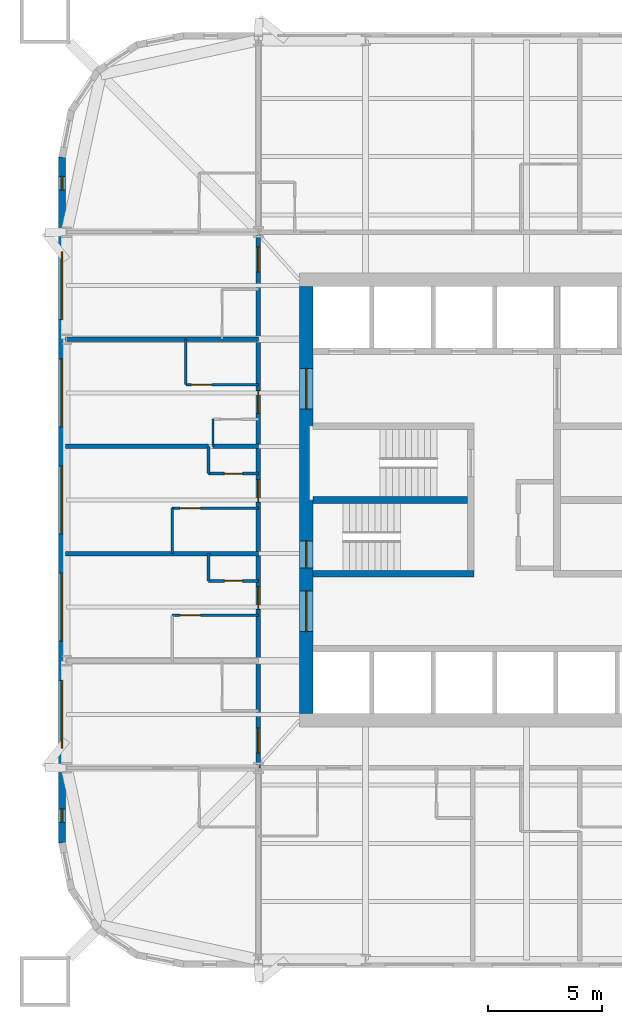
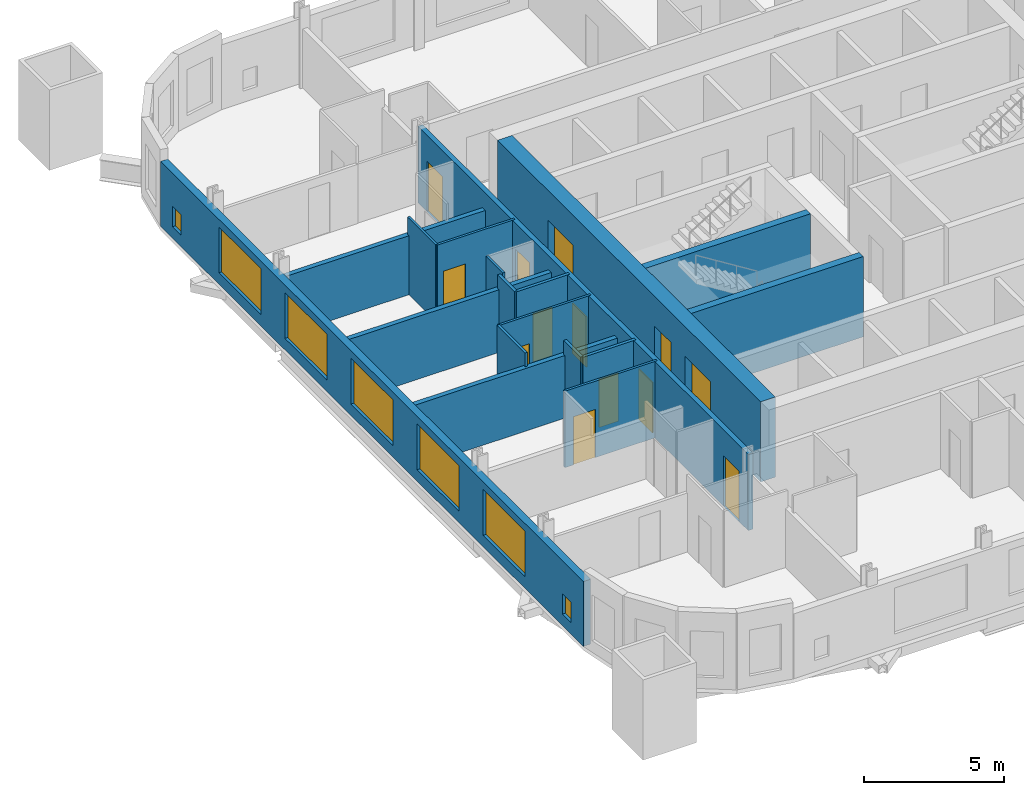
# One storey, part 4 of 9: 19 walls, 13 doors, 7 windows, 20 openings.
"""IFC4 building model written with IfcOpenShell, lengths in metres."""

from ifc_helpers import new_model, si_unit, direction, frame, frame_2d, origin, place, context, subcontext, project, spatial, rectangle, extrude, material, layer, layer_set, type_object, element, fill, save


model = new_model("IFC4")

# Units and contexts
model_context = context("Model", 3, precision=1e-05, world=origin(), true_north=direction((0.0, 1.0)))
body_context = subcontext(model_context, "Body", "Model", "MODEL_VIEW")
ifc_project = project(units=[si_unit("LENGTHUNIT", "METRE"), si_unit("AREAUNIT", "SQUARE_METRE"), si_unit("VOLUMEUNIT", "CUBIC_METRE"), si_unit("PLANEANGLEUNIT", "RADIAN"), si_unit("MASSUNIT", "GRAM", prefix="KILO")], contexts=[model_context])

# Site, building, storey
site_placement = place(None, origin())
site = spatial("IfcSite", under=ifc_project, at=site_placement, CompositionType="ELEMENT")
building_placement = place(site_placement, origin())
building = spatial("IfcBuilding", under=site, at=building_placement, Name="Turquesa Mirador Hotel Tower", CompositionType="ELEMENT")
storey_placement = place(building_placement, frame((0.0, 0.0, 142.39990234375)))
storey = spatial("IfcBuildingStorey", under=building, at=storey_placement, Name="L38", CompositionType="ELEMENT", Elevation=142.39990234375)

# Wall, opening, door
ifc_material_1 = material(Name="Gypsum board on steel studs", Category="steel")
ifc_layer_1 = layer(ifc_material_1, 0.10009765625)
ifc_layer_set_1 = layer_set([ifc_layer_1], Name="BATHROOM WALL 100")
wall_type_1 = type_object("IfcWallType", Name="BATHROOM WALL 100", PredefinedType="PARTITIONING", material=ifc_layer_set_1)
wall_1_placement = place(storey_placement, frame((39.39990234375, 44.639892578125, 0.0), z_axis=(0.0, 0.0, 1.0), x_axis=(1.0, 0.0, 0.0)))
wall_1 = element("IfcWall", 1, at=wall_1_placement, inside=storey, type_object=wall_type_1, Name="Partition L38 002", PredefinedType="PARTITIONING", context=body_context, shape_type="SweptSolid", body=[
    extrude(rectangle(XDim=3.800048828125, YDim=0.10009765625, at=frame_2d((1.89990234375, 0.0))), origin(), (0.0, 0.0, 1.0), 3.330078125),
])
opening_1_placement = place(wall_1_placement, frame((0.35009765625, 0.0, 0.0)))
opening_1 = element("IfcOpeningElement", 2, at=opening_1_placement, cuts=wall_1, Name="Opening D02", PredefinedType="OPENING", context=body_context, shape_type="SweptSolid", body=[
    extrude(rectangle(XDim=0.89990234375, YDim=2.10009765625, at=frame_2d((0.449951171875, 1.050048828125))), frame((0.0, 0.06005859375, 0.0), z_axis=(0.0, -1.0, 0.0), x_axis=(1.0, 0.0, 0.0)), (0.0, 0.0, 1.0), 0.1201171875),
])
ifc_material_2 = material(Name="Timber veneered door", Category="wood")
door_type_1 = type_object("IfcDoorType", Name="DOOR 900X2100 EN-SUITE", OperationType="SINGLE_SWING_RIGHT", PredefinedType="DOOR", material=ifc_material_2)
door_1_placement = place(opening_1_placement, origin())
door_1 = element("IfcDoor", 3, at=door_1_placement, inside=storey, type_object=door_type_1, Name="Door 3812B", OperationType="SINGLE_SWING_RIGHT", OverallHeight=2.10009765625, OverallWidth=0.89990234375, PredefinedType="DOOR", context=body_context, shape_type="SweptSolid", body=[
    extrude(rectangle(XDim=0.89990234375, YDim=2.10009765625, at=frame_2d((0.449951171875, 1.050048828125))), frame((0.0, 0.02490234375, 0.0), z_axis=(0.0, -1.0, 0.0), x_axis=(1.0, 0.0, 0.0)), (0.0, 0.0, 1.0), 0.050048828125),
])
fill(opening_1, door_1)

wall_2_placement = place(storey_placement, frame((39.39990234375, 39.919921875, 0.0), z_axis=(0.0, 0.0, 1.0), x_axis=(1.0, 0.0, 0.0)))
wall_2 = element("IfcWall", 4, at=wall_2_placement, inside=storey, type_object=wall_type_1, Name="Partition L38 020", PredefinedType="PARTITIONING", context=body_context, shape_type="SweptSolid", body=[
    extrude(rectangle(XDim=3.800048828125, YDim=0.10009765625, at=frame_2d((1.89990234375, 0.0))), origin(), (0.0, 0.0, 1.0), 3.330078125),
])
opening_2_placement = place(wall_2_placement, frame((0.35009765625, 0.0, 0.0)))
opening_2 = element("IfcOpeningElement", 5, at=opening_2_placement, cuts=wall_2, Name="Opening D02", PredefinedType="OPENING", context=body_context, shape_type="SweptSolid", body=[
    extrude(rectangle(XDim=0.89990234375, YDim=2.10009765625, at=frame_2d((0.449951171875, 1.050048828125))), frame((0.0, 0.06005859375, 0.0), z_axis=(0.0, -1.0, 0.0), x_axis=(1.0, 0.0, 0.0)), (0.0, 0.0, 1.0), 0.1201171875),
])
door_2_placement = place(opening_2_placement, origin())
door_2 = element("IfcDoor", 6, at=door_2_placement, inside=storey, type_object=door_type_1, Name="Door 3811B", OperationType="SINGLE_SWING_RIGHT", OverallHeight=2.10009765625, OverallWidth=0.89990234375, PredefinedType="DOOR", context=body_context, shape_type="SweptSolid", body=[
    extrude(rectangle(XDim=0.89990234375, YDim=2.10009765625, at=frame_2d((0.449951171875, 1.050048828125))), frame((0.0, 0.02490234375, 0.0), z_axis=(0.0, -1.0, 0.0), x_axis=(1.0, 0.0, 0.0)), (0.0, 0.0, 1.0), 0.050048828125),
])
fill(opening_2, door_2)

wall_3_placement = place(storey_placement, frame((40.0, 50.080078125, 0.0), z_axis=(0.0, 0.0, 1.0), x_axis=(1.0, 0.0, 0.0)))
wall_3 = element("IfcWall", 7, at=wall_3_placement, inside=storey, type_object=wall_type_1, Name="Partition L38 042", PredefinedType="PARTITIONING", context=body_context, shape_type="SweptSolid", body=[
    extrude(rectangle(XDim=3.199951171875, YDim=0.10009765625, at=frame_2d((1.60009765625, 0.0))), origin(), (0.0, 0.0, 1.0), 3.330078125),
])
opening_3_placement = place(wall_3_placement, frame((0.25, 0.0, 0.0)))
opening_3 = element("IfcOpeningElement", 8, at=opening_3_placement, cuts=wall_3, Name="Opening D02", PredefinedType="OPENING", context=body_context, shape_type="SweptSolid", body=[
    extrude(rectangle(XDim=0.89990234375, YDim=2.10009765625, at=frame_2d((0.449951171875, 1.050048828125))), frame((0.0, 0.06005859375, 0.0), z_axis=(0.0, -1.0, 0.0), x_axis=(1.0, 0.0, 0.0)), (0.0, 0.0, 1.0), 0.1201171875),
])
door_3_placement = place(opening_3_placement, origin())
door_3 = element("IfcDoor", 9, at=door_3_placement, inside=storey, type_object=door_type_1, Name="Door 3813B", OperationType="SINGLE_SWING_RIGHT", OverallHeight=2.10009765625, OverallWidth=0.89990234375, PredefinedType="DOOR", context=body_context, shape_type="SweptSolid", body=[
    extrude(rectangle(XDim=0.89990234375, YDim=2.10009765625, at=frame_2d((0.449951171875, 1.050048828125))), frame((0.0, 0.02490234375, 0.0), z_axis=(0.0, -1.0, 0.0), x_axis=(1.0, 0.0, 0.0)), (0.0, 0.0, 1.0), 0.050048828125),
])
fill(opening_3, door_3)

# Walls
wall_4_placement = place(storey_placement, frame((41.199951171875, 47.360107421875, 0.0), z_axis=(0.0, 0.0, 1.0), x_axis=(0.0, 1.0, 0.0)))
element("IfcWall", 10, at=wall_4_placement, inside=storey, type_object=wall_type_1, Name="Partition L38 056", PredefinedType="PARTITIONING", context=body_context, shape_type="SweptSolid", body=[
    extrude(rectangle(XDim=1.199951171875, YDim=0.10009765625, at=frame_2d((0.60009765625, 0.0))), origin(), (0.0, 0.0, 1.0), 3.330078125),
])
for number, where, z_axis, x_axis, name in (
    (11, (40.0, 50.080078125, 0.0), (0.0, 0.0, 1.0), (0.0, 1.0, 0.0), "Partition L38 061"),
    (12, (39.39990234375, 42.639892578125, 0.0), (0.0, 0.0, 1.0), (0.0, 1.0, 0.0), "Partition L38 063"),
):
    element("IfcWall", number, at=place(storey_placement, frame(where, z_axis=z_axis, x_axis=x_axis)), inside=storey, type_object=wall_type_1, Name=name, PredefinedType="PARTITIONING", context=body_context, shape_type="SweptSolid", body=[
        extrude(rectangle(XDim=2.0, YDim=0.10009765625, at=frame_2d((1.0, 0.0))), origin(), (0.0, 0.0, 1.0), 3.330078125),
    ])
ifc_material_3 = material(Name="Concrete C50/60", Category="concrete")
ifc_layer_2 = layer(ifc_material_3, 0.300048828125)
ifc_layer_set_2 = layer_set([ifc_layer_2], Name="CORE INNER WALL 300")
wall_type_2 = type_object("IfcWallType", Name="CORE INNER WALL 300", PredefinedType="SHEAR", material=ifc_layer_set_2)
wall_5_placement = place(storey_placement, frame((45.60009765625, 41.75, 0.0), z_axis=(0.0, 0.0, 1.0), x_axis=(1.0, 0.0, 0.0)))
element("IfcWall", 13, at=wall_5_placement, inside=storey, type_object=wall_type_2, Name="Core wall MS-W", PredefinedType="SHEAR", context=body_context, shape_type="SweptSolid", body=[
    extrude(rectangle(XDim=7.099853515625, YDim=0.300048828125, at=frame_2d((3.5498046875, 0.0))), origin(), (0.0, 0.0, 1.0), 3.5),
])
wall_6_placement = place(storey_placement, frame((45.60009765625, 45.0, 0.0), z_axis=(0.0, 0.0, 1.0), x_axis=(1.0, 0.0, 0.0)))
element("IfcWall", 14, at=wall_6_placement, inside=storey, type_object=wall_type_2, Name="Core wall M0-W", PredefinedType="SHEAR", context=body_context, shape_type="SweptSolid", body=[
    extrude(rectangle(XDim=6.7998046875, YDim=0.300048828125, at=frame_2d((3.39990234375, 0.0))), origin(), (0.0, 0.0, 1.0), 3.5),
])

# Wall, openings, doors
ifc_material_4 = material(Name="Concrete C50/60", Category="concrete")
ifc_layer_3 = layer(ifc_material_4, 0.60009765625)
ifc_layer_set_3 = layer_set([ifc_layer_3], Name="CORE WALL 600")
wall_type_3 = type_object("IfcWallType", Name="CORE WALL 600", PredefinedType="SHEAR", material=ifc_layer_set_3)
wall_7_placement = place(storey_placement, frame((45.300048828125, 35.60009765625, 0.0), z_axis=(0.0, 0.0, 1.0), x_axis=(0.0, 1.0, 0.0)))
wall_7 = element("IfcWall", 15, at=wall_7_placement, inside=storey, type_object=wall_type_3, Name="Core wall W", PredefinedType="SHEAR", context=body_context, shape_type="SweptSolid", body=[
    extrude(rectangle(XDim=18.7998046875, YDim=0.60009765625, at=frame_2d((9.39990234375, 0.0))), origin(), (0.0, 0.0, 1.0), 3.5),
])
opening_4_placement = place(wall_7_placement, frame((13.39990234375, 0.0, 0.0)))
opening_4 = element("IfcOpeningElement", 16, at=opening_4_placement, cuts=wall_7, Name="Opening D04", PredefinedType="OPENING", context=body_context, shape_type="SweptSolid", body=[
    extrude(rectangle(XDim=1.800048828125, YDim=2.199951171875, at=frame_2d((0.89990234375, 1.10009765625))), frame((0.0, 0.31005859375, 0.0), z_axis=(0.0, -1.0, 0.0), x_axis=(1.0, 0.0, 0.0)), (0.0, 0.0, 1.0), 0.6201171875),
])
opening_5_placement = place(wall_7_placement, frame((3.60009765625, 0.0, 0.0)))
opening_5 = element("IfcOpeningElement", 17, at=opening_5_placement, cuts=wall_7, Name="Opening D04", PredefinedType="OPENING", context=body_context, shape_type="SweptSolid", body=[
    extrude(rectangle(XDim=1.800048828125, YDim=2.199951171875, at=frame_2d((0.89990234375, 1.10009765625))), frame((0.0, 0.31005859375, 0.0), z_axis=(0.0, -1.0, 0.0), x_axis=(1.0, 0.0, 0.0)), (0.0, 0.0, 1.0), 0.6201171875),
])
opening_6_placement = place(wall_7_placement, frame((6.39990234375, 0.0, 0.0)))
opening_6 = element("IfcOpeningElement", 18, at=opening_6_placement, cuts=wall_7, Name="Opening D03", PredefinedType="OPENING", context=body_context, shape_type="SweptSolid", body=[
    extrude(rectangle(XDim=1.199951171875, YDim=2.199951171875, at=frame_2d((0.60009765625, 1.10009765625))), frame((0.0, 0.31005859375, 0.0), z_axis=(0.0, -1.0, 0.0), x_axis=(1.0, 0.0, 0.0)), (0.0, 0.0, 1.0), 0.6201171875),
])
ifc_material_5 = material(Name="Steel fire door", Category="steel")
door_type_2 = type_object("IfcDoorType", Name="DOOR 1200X2200 STAIR", OperationType="SINGLE_SWING_LEFT", PredefinedType="DOOR", material=ifc_material_5)
door_4_placement = place(opening_6_placement, origin())
door_4 = element("IfcDoor", 19, at=door_4_placement, inside=storey, type_object=door_type_2, Name="Stair ST2 door", OperationType="SINGLE_SWING_LEFT", OverallHeight=2.199951171875, OverallWidth=1.199951171875, PredefinedType="DOOR", context=body_context, shape_type="SweptSolid", body=[
    extrude(rectangle(XDim=1.199951171875, YDim=2.199951171875, at=frame_2d((0.60009765625, 1.10009765625))), frame((0.0, 0.02490234375, 0.0), z_axis=(0.0, -1.0, 0.0), x_axis=(1.0, 0.0, 0.0)), (0.0, 0.0, 1.0), 0.050048828125),
])
fill(opening_6, door_4)
ifc_material_6 = material(Name="Steel fire door pair", Category="steel")
door_type_3 = type_object("IfcDoorType", Name="DOOR 1800X2200 PAIR", OperationType="DOUBLE_DOOR_SINGLE_SWING", PredefinedType="DOOR", material=ifc_material_6)
door_5_placement = place(opening_4_placement, origin())
door_5 = element("IfcDoor", 20, at=door_5_placement, inside=storey, type_object=door_type_3, Name="North lift lobby door", OperationType="DOUBLE_DOOR_SINGLE_SWING", OverallHeight=2.199951171875, OverallWidth=1.800048828125, PredefinedType="DOOR", context=body_context, shape_type="SweptSolid", body=[
    extrude(rectangle(XDim=1.800048828125, YDim=2.199951171875, at=frame_2d((0.89990234375, 1.10009765625))), frame((0.0, 0.02490234375, 0.0), z_axis=(0.0, -1.0, 0.0), x_axis=(1.0, 0.0, 0.0)), (0.0, 0.0, 1.0), 0.050048828125),
])
fill(opening_4, door_5)
door_6_placement = place(opening_5_placement, origin())
door_6 = element("IfcDoor", 21, at=door_6_placement, inside=storey, type_object=door_type_3, Name="South lift lobby door", OperationType="DOUBLE_DOOR_SINGLE_SWING", OverallHeight=2.199951171875, OverallWidth=1.800048828125, PredefinedType="DOOR", context=body_context, shape_type="SweptSolid", body=[
    extrude(rectangle(XDim=1.800048828125, YDim=2.199951171875, at=frame_2d((0.89990234375, 1.10009765625))), frame((0.0, 0.02490234375, 0.0), z_axis=(0.0, -1.0, 0.0), x_axis=(1.0, 0.0, 0.0)), (0.0, 0.0, 1.0), 0.050048828125),
])
fill(opening_5, door_6)

ifc_material_7 = material(Name="Fire-rated gypsum board on steel studs", Category="steel")
ifc_layer_4 = layer(ifc_material_7, 0.199951171875)
ifc_layer_set_4 = layer_set([ifc_layer_4], Name="CORRIDOR WALL 200")
wall_type_4 = type_object("IfcWallType", Name="CORRIDOR WALL 200", PredefinedType="PARTITIONING", material=ifc_layer_set_4)
wall_8_placement = place(storey_placement, frame((43.199951171875, 33.199951171875, 0.0), z_axis=(0.0, 0.0, 1.0), x_axis=(0.0, 1.0, 0.0)))
wall_8 = element("IfcWall", 22, at=wall_8_placement, inside=storey, type_object=wall_type_4, Name="Partition L38 051", PredefinedType="PARTITIONING", context=body_context, shape_type="SweptSolid", body=[
    extrude(rectangle(XDim=23.60009765625, YDim=0.199951171875, at=frame_2d((11.800048828125, 0.0))), origin(), (0.0, 0.0, 1.0), 3.330078125),
])
opening_7_placement = place(wall_8_placement, frame((6.97998046875, 0.0, 0.0)))
opening_7 = element("IfcOpeningElement", 23, at=opening_7_placement, cuts=wall_8, Name="Opening D01", PredefinedType="OPENING", context=body_context, shape_type="SweptSolid", body=[
    extrude(rectangle(XDim=1.0, YDim=2.199951171875, at=frame_2d((0.5, 1.10009765625))), frame((0.0, 0.10986328125, 0.0), z_axis=(0.0, -1.0, 0.0), x_axis=(1.0, 0.0, 0.0)), (0.0, 0.0, 1.0), 0.219970703125),
])
opening_8_placement = place(wall_8_placement, frame((11.699951171875, 0.0, 0.0)))
opening_8 = element("IfcOpeningElement", 24, at=opening_8_placement, cuts=wall_8, Name="Opening D01", PredefinedType="OPENING", context=body_context, shape_type="SweptSolid", body=[
    extrude(rectangle(XDim=1.0, YDim=2.199951171875, at=frame_2d((0.5, 1.10009765625))), frame((0.0, 0.10986328125, 0.0), z_axis=(0.0, -1.0, 0.0), x_axis=(1.0, 0.0, 0.0)), (0.0, 0.0, 1.0), 0.219970703125),
])
opening_9_placement = place(wall_8_placement, frame((15.6201171875, 0.0, 0.0)))
opening_9 = element("IfcOpeningElement", 25, at=opening_9_placement, cuts=wall_8, Name="Opening D01", PredefinedType="OPENING", context=body_context, shape_type="SweptSolid", body=[
    extrude(rectangle(XDim=1.0, YDim=2.199951171875, at=frame_2d((0.5, 1.10009765625))), frame((0.0, 0.10986328125, 0.0), z_axis=(0.0, -1.0, 0.0), x_axis=(1.0, 0.0, 0.0)), (0.0, 0.0, 1.0), 0.219970703125),
])
opening_10_placement = place(wall_8_placement, frame((21.85009765625, 0.0, 0.0)))
opening_10 = element("IfcOpeningElement", 26, at=opening_10_placement, cuts=wall_8, Name="Opening D15", PredefinedType="OPENING", context=body_context, shape_type="SweptSolid", body=[
    extrude(rectangle(XDim=1.10009765625, YDim=2.199951171875, at=frame_2d((0.550048828125, 1.10009765625))), frame((0.0, 0.10986328125, 0.0), z_axis=(0.0, -1.0, 0.0), x_axis=(1.0, 0.0, 0.0)), (0.0, 0.0, 1.0), 0.219970703125),
])
opening_11_placement = place(wall_8_placement, frame((0.64990234375, 0.0, 0.0)))
opening_11 = element("IfcOpeningElement", 27, at=opening_11_placement, cuts=wall_8, Name="Opening D15", PredefinedType="OPENING", context=body_context, shape_type="SweptSolid", body=[
    extrude(rectangle(XDim=1.10009765625, YDim=2.199951171875, at=frame_2d((0.550048828125, 1.10009765625))), frame((0.0, 0.10986328125, 0.0), z_axis=(0.0, -1.0, 0.0), x_axis=(1.0, 0.0, 0.0)), (0.0, 0.0, 1.0), 0.219970703125),
])
ifc_material_8 = material(Name="Timber veneered fire door", Category="wood")
door_type_4 = type_object("IfcDoorType", Name="DOOR 1000X2200 GUEST ENTRY", OperationType="SINGLE_SWING_LEFT", PredefinedType="DOOR", material=ifc_material_8)
door_7_placement = place(opening_7_placement, origin())
door_7 = element("IfcDoor", 28, at=door_7_placement, inside=storey, type_object=door_type_4, Name="Door 3811", OperationType="SINGLE_SWING_LEFT", OverallHeight=2.199951171875, OverallWidth=1.0, PredefinedType="DOOR", context=body_context, shape_type="SweptSolid", body=[
    extrude(rectangle(XDim=1.0, YDim=2.199951171875, at=frame_2d((0.5, 1.10009765625))), frame((0.0, 0.02490234375, 0.0), z_axis=(0.0, -1.0, 0.0), x_axis=(1.0, 0.0, 0.0)), (0.0, 0.0, 1.0), 0.050048828125),
])
fill(opening_7, door_7)
door_8_placement = place(opening_8_placement, origin())
door_8 = element("IfcDoor", 29, at=door_8_placement, inside=storey, type_object=door_type_4, Name="Door 3812", OperationType="SINGLE_SWING_LEFT", OverallHeight=2.199951171875, OverallWidth=1.0, PredefinedType="DOOR", context=body_context, shape_type="SweptSolid", body=[
    extrude(rectangle(XDim=1.0, YDim=2.199951171875, at=frame_2d((0.5, 1.10009765625))), frame((0.0, 0.02490234375, 0.0), z_axis=(0.0, -1.0, 0.0), x_axis=(1.0, 0.0, 0.0)), (0.0, 0.0, 1.0), 0.050048828125),
])
fill(opening_8, door_8)
door_9_placement = place(opening_9_placement, origin())
door_9 = element("IfcDoor", 30, at=door_9_placement, inside=storey, type_object=door_type_4, Name="Door 3813", OperationType="SINGLE_SWING_LEFT", OverallHeight=2.199951171875, OverallWidth=1.0, PredefinedType="DOOR", context=body_context, shape_type="SweptSolid", body=[
    extrude(rectangle(XDim=1.0, YDim=2.199951171875, at=frame_2d((0.5, 1.10009765625))), frame((0.0, 0.02490234375, 0.0), z_axis=(0.0, -1.0, 0.0), x_axis=(1.0, 0.0, 0.0)), (0.0, 0.0, 1.0), 0.050048828125),
])
fill(opening_9, door_9)
ifc_material_9 = material(Name="Timber veneered fire door", Category="wood")
door_type_5 = type_object("IfcDoorType", Name="DOOR 1100X2200 SUITE ENTRY", OperationType="SINGLE_SWING_LEFT", PredefinedType="DOOR", material=ifc_material_9)
door_10_placement = place(opening_10_placement, origin())
door_10 = element("IfcDoor", 31, at=door_10_placement, inside=storey, type_object=door_type_5, Name="Door 3815", OperationType="SINGLE_SWING_LEFT", OverallHeight=2.199951171875, OverallWidth=1.10009765625, PredefinedType="DOOR", context=body_context, shape_type="SweptSolid", body=[
    extrude(rectangle(XDim=1.10009765625, YDim=2.199951171875, at=frame_2d((0.550048828125, 1.10009765625))), frame((0.0, 0.02490234375, 0.0), z_axis=(0.0, -1.0, 0.0), x_axis=(1.0, 0.0, 0.0)), (0.0, 0.0, 1.0), 0.050048828125),
])
fill(opening_10, door_10)
door_11_placement = place(opening_11_placement, origin())
door_11 = element("IfcDoor", 32, at=door_11_placement, inside=storey, type_object=door_type_5, Name="Door 3816", OperationType="SINGLE_SWING_LEFT", OverallHeight=2.199951171875, OverallWidth=1.10009765625, PredefinedType="DOOR", context=body_context, shape_type="SweptSolid", body=[
    extrude(rectangle(XDim=1.10009765625, YDim=2.199951171875, at=frame_2d((0.550048828125, 1.10009765625))), frame((0.0, 0.02490234375, 0.0), z_axis=(0.0, -1.0, 0.0), x_axis=(1.0, 0.0, 0.0)), (0.0, 0.0, 1.0), 0.050048828125),
])
fill(opening_11, door_11)

# Wall, openings, windows
ifc_material_10 = material(Name="Limestone cladding on concrete block", Category="masonry")
ifc_layer_5 = layer(ifc_material_10, 0.300048828125)
ifc_layer_set_5 = layer_set([ifc_layer_5], Name="FACADE WALL 300 STONE SCREEN")
wall_type_5 = type_object("IfcWallType", Name="FACADE WALL 300 STONE SCREEN", PredefinedType="SOLIDWALL", material=ifc_layer_set_5)
wall_9_placement = place(storey_placement, frame((34.550048828125, 60.10009765625, 0.0), z_axis=(0.0, 0.0, 1.0), x_axis=(0.0, -1.0, 0.0)))
wall_9 = element("IfcWall", 33, at=wall_9_placement, inside=storey, type_object=wall_type_5, Name="Facade wall L38 14", PredefinedType="SOLIDWALL", context=body_context, shape_type="SweptSolid", body=[
    extrude(rectangle(XDim=30.2001953125, YDim=0.300048828125, at=frame_2d((15.10009765625, 0.0))), origin(), (0.0, 0.0, 1.0), 2.830078125),
])
opening_12_placement = place(wall_9_placement, frame((0.85009765625, 0.0, 0.5)))
opening_12 = element("IfcOpeningElement", 34, at=opening_12_placement, cuts=wall_9, Name="Opening WN25", PredefinedType="OPENING", context=body_context, shape_type="SweptSolid", body=[
    extrude(rectangle(XDim=0.60009765625, YDim=0.89990234375, at=frame_2d((0.300048828125, 0.449951171875))), frame((0.0, 0.159912109375, 0.0), z_axis=(0.0, -1.0, 0.0), x_axis=(1.0, 0.0, 0.0)), (0.0, 0.0, 1.0), 0.320068359375),
])
opening_13_placement = place(wall_9_placement, frame((4.159912109375, 0.0, 0.5)))
opening_13 = element("IfcOpeningElement", 35, at=opening_13_placement, cuts=wall_9, Name="Opening WN1", PredefinedType="OPENING", context=body_context, shape_type="SweptSolid", body=[
    extrude(rectangle(XDim=3.0, YDim=2.0, at=frame_2d((1.5, 1.0))), frame((0.0, 0.159912109375, 0.0), z_axis=(0.0, -1.0, 0.0), x_axis=(1.0, 0.0, 0.0)), (0.0, 0.0, 1.0), 0.320068359375),
])
opening_14_placement = place(wall_9_placement, frame((8.8798828125, 0.0, 0.5)))
opening_14 = element("IfcOpeningElement", 36, at=opening_14_placement, cuts=wall_9, Name="Opening WN1", PredefinedType="OPENING", context=body_context, shape_type="SweptSolid", body=[
    extrude(rectangle(XDim=3.0, YDim=2.0, at=frame_2d((1.5, 1.0))), frame((0.0, 0.159912109375, 0.0), z_axis=(0.0, -1.0, 0.0), x_axis=(1.0, 0.0, 0.0)), (0.0, 0.0, 1.0), 0.320068359375),
])
opening_15_placement = place(wall_9_placement, frame((13.60009765625, 0.0, 0.5)))
opening_15 = element("IfcOpeningElement", 37, at=opening_15_placement, cuts=wall_9, Name="Opening WN1", PredefinedType="OPENING", context=body_context, shape_type="SweptSolid", body=[
    extrude(rectangle(XDim=3.0, YDim=2.0, at=frame_2d((1.5, 1.0))), frame((0.0, 0.159912109375, 0.0), z_axis=(0.0, -1.0, 0.0), x_axis=(1.0, 0.0, 0.0)), (0.0, 0.0, 1.0), 0.320068359375),
])
opening_16_placement = place(wall_9_placement, frame((18.320068359375, 0.0, 0.5)))
opening_16 = element("IfcOpeningElement", 38, at=opening_16_placement, cuts=wall_9, Name="Opening WN1", PredefinedType="OPENING", context=body_context, shape_type="SweptSolid", body=[
    extrude(rectangle(XDim=3.0, YDim=2.0, at=frame_2d((1.5, 1.0))), frame((0.0, 0.159912109375, 0.0), z_axis=(0.0, -1.0, 0.0), x_axis=(1.0, 0.0, 0.0)), (0.0, 0.0, 1.0), 0.320068359375),
])
opening_17_placement = place(wall_9_placement, frame((23.0400390625, 0.0, 0.5)))
opening_17 = element("IfcOpeningElement", 39, at=opening_17_placement, cuts=wall_9, Name="Opening WN1", PredefinedType="OPENING", context=body_context, shape_type="SweptSolid", body=[
    extrude(rectangle(XDim=3.0, YDim=2.0, at=frame_2d((1.5, 1.0))), frame((0.0, 0.159912109375, 0.0), z_axis=(0.0, -1.0, 0.0), x_axis=(1.0, 0.0, 0.0)), (0.0, 0.0, 1.0), 0.320068359375),
])
opening_18_placement = place(wall_9_placement, frame((28.699951171875, 0.0, 0.5)))
opening_18 = element("IfcOpeningElement", 40, at=opening_18_placement, cuts=wall_9, Name="Opening WN25", PredefinedType="OPENING", context=body_context, shape_type="SweptSolid", body=[
    extrude(rectangle(XDim=0.60009765625, YDim=0.89990234375, at=frame_2d((0.300048828125, 0.449951171875))), frame((0.0, 0.159912109375, 0.0), z_axis=(0.0, -1.0, 0.0), x_axis=(1.0, 0.0, 0.0)), (0.0, 0.0, 1.0), 0.320068359375),
])
ifc_material_11 = material(Name="Ceramic-fritted laminated glass", Category="glass")
window_type_1 = type_object("IfcWindowType", Name="FRITTED WINDOW 3000X2000", PartitioningType="DOUBLE_PANEL_HORIZONTAL", PredefinedType="WINDOW", material=ifc_material_11)
window_1_placement = place(opening_13_placement, origin())
window_1 = element("IfcWindow", 41, at=window_1_placement, inside=storey, type_object=window_type_1, Name="Window L38", OverallHeight=2.0, OverallWidth=3.0, PartitioningType="SINGLE_PANEL", PredefinedType="WINDOW", context=body_context, shape_type="SweptSolid", body=[
    extrude(rectangle(XDim=3.0, YDim=2.0, at=frame_2d((1.5, 1.0))), frame((0.0, 0.030029296875, 0.0), z_axis=(0.0, -1.0, 0.0), x_axis=(1.0, 0.0, 0.0)), (0.0, 0.0, 1.0), 0.06005859375),
])
fill(opening_13, window_1)
window_2_placement = place(opening_14_placement, origin())
window_2 = element("IfcWindow", 42, at=window_2_placement, inside=storey, type_object=window_type_1, Name="Window L38", OverallHeight=2.0, OverallWidth=3.0, PartitioningType="SINGLE_PANEL", PredefinedType="WINDOW", context=body_context, shape_type="SweptSolid", body=[
    extrude(rectangle(XDim=3.0, YDim=2.0, at=frame_2d((1.5, 1.0))), frame((0.0, 0.030029296875, 0.0), z_axis=(0.0, -1.0, 0.0), x_axis=(1.0, 0.0, 0.0)), (0.0, 0.0, 1.0), 0.06005859375),
])
fill(opening_14, window_2)
window_3_placement = place(opening_15_placement, origin())
window_3 = element("IfcWindow", 43, at=window_3_placement, inside=storey, type_object=window_type_1, Name="Window L38", OverallHeight=2.0, OverallWidth=3.0, PartitioningType="SINGLE_PANEL", PredefinedType="WINDOW", context=body_context, shape_type="SweptSolid", body=[
    extrude(rectangle(XDim=3.0, YDim=2.0, at=frame_2d((1.5, 1.0))), frame((0.0, 0.030029296875, 0.0), z_axis=(0.0, -1.0, 0.0), x_axis=(1.0, 0.0, 0.0)), (0.0, 0.0, 1.0), 0.06005859375),
])
fill(opening_15, window_3)
window_4_placement = place(opening_16_placement, origin())
window_4 = element("IfcWindow", 44, at=window_4_placement, inside=storey, type_object=window_type_1, Name="Window L38", OverallHeight=2.0, OverallWidth=3.0, PartitioningType="SINGLE_PANEL", PredefinedType="WINDOW", context=body_context, shape_type="SweptSolid", body=[
    extrude(rectangle(XDim=3.0, YDim=2.0, at=frame_2d((1.5, 1.0))), frame((0.0, 0.030029296875, 0.0), z_axis=(0.0, -1.0, 0.0), x_axis=(1.0, 0.0, 0.0)), (0.0, 0.0, 1.0), 0.06005859375),
])
fill(opening_16, window_4)
window_5_placement = place(opening_17_placement, origin())
window_5 = element("IfcWindow", 45, at=window_5_placement, inside=storey, type_object=window_type_1, Name="Window L38", OverallHeight=2.0, OverallWidth=3.0, PartitioningType="SINGLE_PANEL", PredefinedType="WINDOW", context=body_context, shape_type="SweptSolid", body=[
    extrude(rectangle(XDim=3.0, YDim=2.0, at=frame_2d((1.5, 1.0))), frame((0.0, 0.030029296875, 0.0), z_axis=(0.0, -1.0, 0.0), x_axis=(1.0, 0.0, 0.0)), (0.0, 0.0, 1.0), 0.06005859375),
])
fill(opening_17, window_5)
ifc_material_12 = material(Name="Ceramic-fritted laminated glass", Category="glass")
window_type_2 = type_object("IfcWindowType", Name="FRITTED WINDOW 600X900", PartitioningType="DOUBLE_PANEL_HORIZONTAL", PredefinedType="WINDOW", material=ifc_material_12)
window_6_placement = place(opening_12_placement, origin())
window_6 = element("IfcWindow", 46, at=window_6_placement, inside=storey, type_object=window_type_2, Name="Window L38", OverallHeight=0.89990234375, OverallWidth=0.60009765625, PartitioningType="SINGLE_PANEL", PredefinedType="WINDOW", context=body_context, shape_type="SweptSolid", body=[
    extrude(rectangle(XDim=0.60009765625, YDim=0.89990234375, at=frame_2d((0.300048828125, 0.449951171875))), frame((0.0, 0.030029296875, 0.0), z_axis=(0.0, -1.0, 0.0), x_axis=(1.0, 0.0, 0.0)), (0.0, 0.0, 1.0), 0.06005859375),
])
fill(opening_12, window_6)
window_7_placement = place(opening_18_placement, origin())
window_7 = element("IfcWindow", 47, at=window_7_placement, inside=storey, type_object=window_type_2, Name="Window L38", OverallHeight=0.89990234375, OverallWidth=0.60009765625, PartitioningType="SINGLE_PANEL", PredefinedType="WINDOW", context=body_context, shape_type="SweptSolid", body=[
    extrude(rectangle(XDim=0.60009765625, YDim=0.89990234375, at=frame_2d((0.300048828125, 0.449951171875))), frame((0.0, 0.030029296875, 0.0), z_axis=(0.0, -1.0, 0.0), x_axis=(1.0, 0.0, 0.0)), (0.0, 0.0, 1.0), 0.06005859375),
])
fill(opening_18, window_7)

# Walls
ifc_material_13 = material(Name="Fire-rated gypsum board on steel studs", Category="steel")
ifc_layer_6 = layer(ifc_material_13, 0.199951171875)
ifc_layer_set_6 = layer_set([ifc_layer_6], Name="PARTY WALL 200")
wall_type_6 = type_object("IfcWallType", Name="PARTY WALL 200", PredefinedType="PARTITIONING", material=ifc_layer_set_6)
wall_10_placement = place(storey_placement, frame((34.699951171875, 42.639892578125, 0.0), z_axis=(0.0, 0.0, 1.0), x_axis=(1.0, 0.0, 0.0)))
element("IfcWall", 48, at=wall_10_placement, inside=storey, type_object=wall_type_6, Name="Partition L38 016", PredefinedType="PARTITIONING", context=body_context, shape_type="SweptSolid", body=[
    extrude(rectangle(XDim=8.5, YDim=0.199951171875, at=frame_2d((4.25, 0.0))), origin(), (0.0, 0.0, 1.0), 2.730712890625),
])
wall_11_placement = place(storey_placement, frame((34.699951171875, 47.360107421875, 0.0), z_axis=(0.0, 0.0, 1.0), x_axis=(1.0, 0.0, 0.0)))
element("IfcWall", 49, at=wall_11_placement, inside=storey, type_object=wall_type_6, Name="Partition L38 038", PredefinedType="PARTITIONING", context=body_context, shape_type="SweptSolid", body=[
    extrude(rectangle(XDim=6.300048828125, YDim=0.199951171875, at=frame_2d((3.14990234375, 0.0))), origin(), (0.0, 0.0, 1.0), 2.730712890625),
])
wall_12_placement = place(storey_placement, frame((41.199951171875, 47.360107421875, 0.0), z_axis=(0.0, 0.0, 1.0), x_axis=(1.0, 0.0, 0.0)))
element("IfcWall", 50, at=wall_12_placement, inside=storey, type_object=wall_type_6, Name="Partition L38 039", PredefinedType="PARTITIONING", context=body_context, shape_type="SweptSolid", body=[
    extrude(rectangle(XDim=2.0, YDim=0.199951171875, at=frame_2d((1.0, 0.0))), origin(), (0.0, 0.0, 1.0), 2.730712890625),
])
wall_13_placement = place(storey_placement, frame((34.699951171875, 52.080078125, 0.0), z_axis=(0.0, 0.0, 1.0), x_axis=(1.0, 0.0, 0.0)))
element("IfcWall", 51, at=wall_13_placement, inside=storey, type_object=wall_type_6, Name="Partition L38 044", PredefinedType="PARTITIONING", context=body_context, shape_type="SweptSolid", body=[
    extrude(rectangle(XDim=8.5, YDim=0.199951171875, at=frame_2d((4.25, 0.0))), origin(), (0.0, 0.0, 1.0), 2.5732421875),
])

# Wall, opening, door
ifc_material_14 = material(Name="Acoustic gypsum board on steel studs", Category="steel")
ifc_layer_7 = layer(ifc_material_14, 0.125)
ifc_layer_set_7 = layer_set([ifc_layer_7], Name="SUITE PARTITION 125")
wall_type_7 = type_object("IfcWallType", Name="SUITE PARTITION 125", PredefinedType="PARTITIONING", material=ifc_layer_set_7)
wall_14_placement = place(storey_placement, frame((41.0, 41.43994140625, 0.0), z_axis=(0.0, 0.0, 1.0), x_axis=(1.0, 0.0, 0.0)))
wall_14 = element("IfcWall", 52, at=wall_14_placement, inside=storey, type_object=wall_type_7, Name="Partition L38 018", PredefinedType="PARTITIONING", context=body_context, shape_type="SweptSolid", body=[
    extrude(rectangle(XDim=2.199951171875, YDim=0.125, at=frame_2d((1.10009765625, 0.0))), origin(), (0.0, 0.0, 1.0), 3.330078125),
])
opening_19_placement = place(wall_14_placement, frame((0.699951171875, 0.0, 0.0)))
opening_19 = element("IfcOpeningElement", 53, at=opening_19_placement, cuts=wall_14, Name="Opening D20", PredefinedType="OPENING", context=body_context, shape_type="SweptSolid", body=[
    extrude(rectangle(XDim=0.800048828125, YDim=2.10009765625, at=frame_2d((0.39990234375, 1.050048828125))), frame((0.0, 0.072509765625, 0.0), z_axis=(0.0, -1.0, 0.0), x_axis=(1.0, 0.0, 0.0)), (0.0, 0.0, 1.0), 0.14501953125),
])
ifc_material_15 = material(Name="Timber veneered sliding door", Category="wood")
door_type_6 = type_object("IfcDoorType", Name="DOOR 800X2100 WARDROBE", OperationType="SLIDING_TO_LEFT", PredefinedType="DOOR", material=ifc_material_15)
door_12_placement = place(opening_19_placement, origin())
door_12 = element("IfcDoor", 54, at=door_12_placement, inside=storey, type_object=door_type_6, Name="Door 3811W", OperationType="SLIDING_TO_LEFT", OverallHeight=2.10009765625, OverallWidth=0.800048828125, PredefinedType="DOOR", context=body_context, shape_type="SweptSolid", body=[
    extrude(rectangle(XDim=0.800048828125, YDim=2.10009765625, at=frame_2d((0.39990234375, 1.050048828125))), frame((0.0, 0.02490234375, 0.0), z_axis=(0.0, -1.0, 0.0), x_axis=(1.0, 0.0, 0.0)), (0.0, 0.0, 1.0), 0.050048828125),
])
fill(opening_19, door_12)

wall_15_placement = place(storey_placement, frame((41.0, 46.159912109375, 0.0), z_axis=(0.0, 0.0, 1.0), x_axis=(1.0, 0.0, 0.0)))
wall_15 = element("IfcWall", 55, at=wall_15_placement, inside=storey, type_object=wall_type_7, Name="Partition L38 025", PredefinedType="PARTITIONING", context=body_context, shape_type="SweptSolid", body=[
    extrude(rectangle(XDim=2.199951171875, YDim=0.125, at=frame_2d((1.10009765625, 0.0))), origin(), (0.0, 0.0, 1.0), 3.330078125),
])
opening_20_placement = place(wall_15_placement, frame((0.699951171875, 0.0, 0.0)))
opening_20 = element("IfcOpeningElement", 56, at=opening_20_placement, cuts=wall_15, Name="Opening D20", PredefinedType="OPENING", context=body_context, shape_type="SweptSolid", body=[
    extrude(rectangle(XDim=0.800048828125, YDim=2.10009765625, at=frame_2d((0.39990234375, 1.050048828125))), frame((0.0, 0.072509765625, 0.0), z_axis=(0.0, -1.0, 0.0), x_axis=(1.0, 0.0, 0.0)), (0.0, 0.0, 1.0), 0.14501953125),
])
door_13_placement = place(opening_20_placement, origin())
door_13 = element("IfcDoor", 57, at=door_13_placement, inside=storey, type_object=door_type_6, Name="Door 3812W", OperationType="SLIDING_TO_LEFT", OverallHeight=2.10009765625, OverallWidth=0.800048828125, PredefinedType="DOOR", context=body_context, shape_type="SweptSolid", body=[
    extrude(rectangle(XDim=0.800048828125, YDim=2.10009765625, at=frame_2d((0.39990234375, 1.050048828125))), frame((0.0, 0.02490234375, 0.0), z_axis=(0.0, -1.0, 0.0), x_axis=(1.0, 0.0, 0.0)), (0.0, 0.0, 1.0), 0.050048828125),
])
fill(opening_20, door_13)

# Walls
wall_16_placement = place(storey_placement, frame((41.0, 41.43994140625, 0.0), z_axis=(0.0, 0.0, 1.0), x_axis=(0.0, 1.0, 0.0)))
element("IfcWall", 58, at=wall_16_placement, inside=storey, type_object=wall_type_7, Name="Partition L38 057", PredefinedType="PARTITIONING", context=body_context, shape_type="SweptSolid", body=[
    extrude(rectangle(XDim=1.199951171875, YDim=0.125, at=frame_2d((0.60009765625, 0.0))), origin(), (0.0, 0.0, 1.0), 3.330078125),
])
wall_17_placement = place(storey_placement, frame((41.0, 46.159912109375, 0.0), z_axis=(0.0, 0.0, 1.0), x_axis=(0.0, 1.0, 0.0)))
element("IfcWall", 59, at=wall_17_placement, inside=storey, type_object=wall_type_7, Name="Partition L38 058", PredefinedType="PARTITIONING", context=body_context, shape_type="SweptSolid", body=[
    extrude(rectangle(XDim=1.2001953125, YDim=0.125, at=frame_2d((0.60009765625, 0.0))), origin(), (0.0, 0.0, 1.0), 3.330078125),
])

save(model, "model.ifc")
